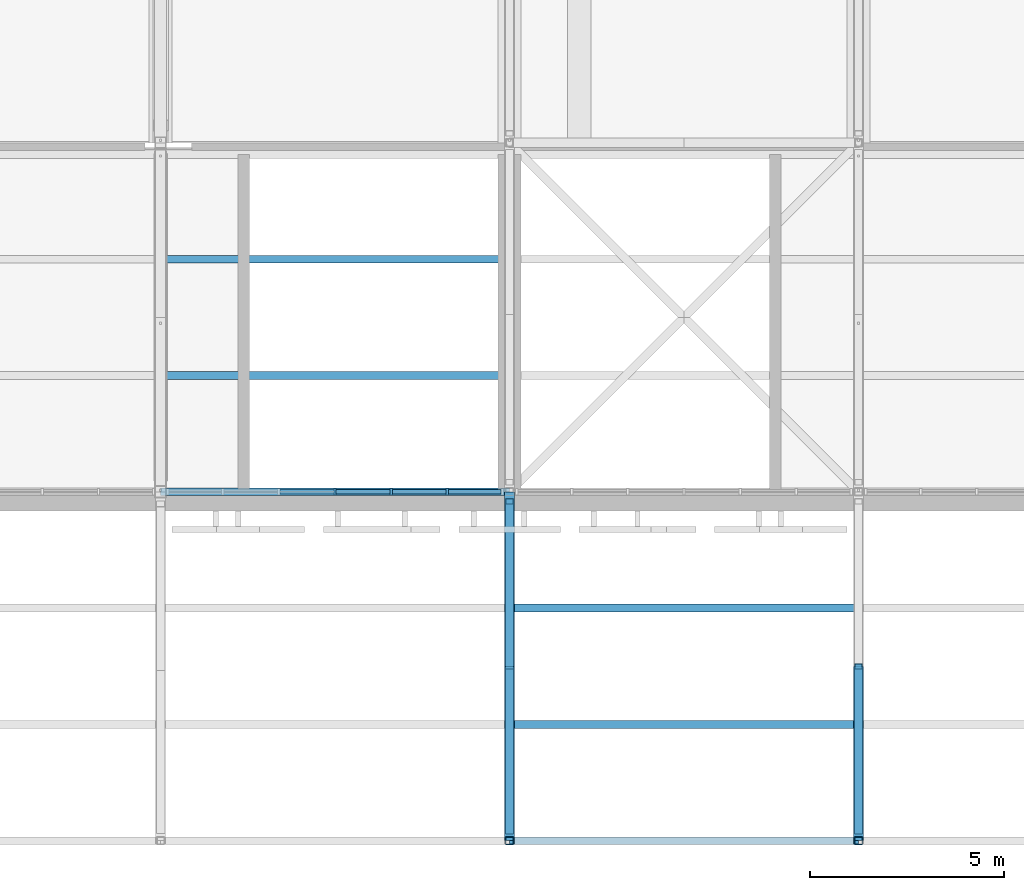
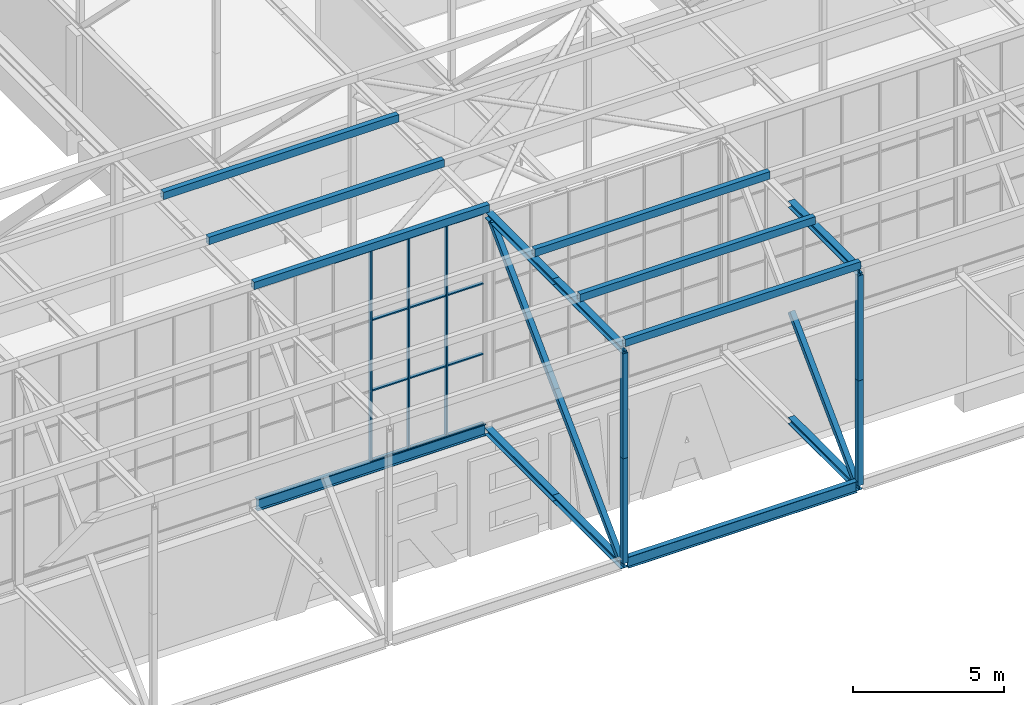
# One storey, part 38 of 646: 35 members, 2 beams, 1 element without a shape of its own.
"""IFC4 building model written with IfcOpenShell, lengths in metres."""

import ifcopenshell
import ifcopenshell.guid

model = None  # the IFC model being written
_history = None  # IfcOwnerHistory: only IFC2X3 demands one
_inside = {}  # id of a spatial element -> (the spatial element, [elements in it])
_under = {}  # id of a project, library or spatial element -> (it, [spatial elements below it])
_declared = {}  # id of a project -> (the project, [libraries it declares])
_typed = {}  # id of a type object -> (the type object, [elements of that type])
_made_of = {}  # id of a material, layer set ... -> (it, [elements and type objects made of it])


def new_model(schema):
    """Start an empty IFC model of exactly this schema.

    Asked for "IFC4X3", IfcOpenShell would pick the latest addendum, in which some entities
    have other attributes; the version numbers below select the first issue.
    IFC2X3 requires an IfcOwnerHistory on every rooted entity: one is made here for all.
    """
    global model, _history
    if schema == "IFC4X3":
        model = ifcopenshell.file(schema_version=(4, 3, 0, 0))
    else:
        model = ifcopenshell.file(schema=schema)
    _inside.clear()
    _under.clear()
    _declared.clear()
    _typed.clear()
    _made_of.clear()
    _history = None
    if model.schema == "IFC2X3":
        org = make("IfcOrganization", Name="unknown")
        user = make(
            "IfcPersonAndOrganization",
            ThePerson=make("IfcPerson", FamilyName="unknown"),
            TheOrganization=org,
        )
        app = make(
            "IfcApplication",
            ApplicationDeveloper=org,
            Version="unknown",
            ApplicationFullName="unknown",
            ApplicationIdentifier="unknown",
        )
        _history = make(
            "IfcOwnerHistory",
            OwningUser=user,
            OwningApplication=app,
            ChangeAction="ADDED",
            CreationDate=0,
        )
    return model


def make(cls, **values):
    """One entity of the class cls with the attributes given. An attribute that is None is left unset."""
    return model.create_entity(
        cls, **{name: value for name, value in values.items() if value is not None}
    )


def rooted(cls, **values):
    """An entity with a GlobalId (a new one), such as an element, a storey or a relation."""
    return make(cls, GlobalId=ifcopenshell.guid.new(), OwnerHistory=_history, **values)


def si_unit(unit_type, name, prefix=None):
    """IfcSIUnit, for example si_unit("LENGTHUNIT", "METRE", prefix="MILLI")."""
    return make("IfcSIUnit", UnitType=unit_type, Prefix=prefix, Name=name)


def assignment(units):
    """IfcUnitAssignment: the units of a project."""
    return None if units is None else make("IfcUnitAssignment", Units=units)


def point(xyz):
    """IfcCartesianPoint."""
    return None if xyz is None else make("IfcCartesianPoint", Coordinates=xyz)


def direction(xyz):
    """IfcDirection."""
    return None if xyz is None else make("IfcDirection", DirectionRatios=xyz)


def frame(location, z_axis=None, x_axis=None):
    """IfcAxis2Placement3D, a coordinate frame: its origin and axes. An axis left out is left unset."""
    return make(
        "IfcAxis2Placement3D",
        Location=point(location),
        Axis=direction(z_axis),
        RefDirection=direction(x_axis),
    )


def frame_2d(location, x_axis=None):
    """IfcAxis2Placement2D, a coordinate frame in the plane: its origin and x axis."""
    return make(
        "IfcAxis2Placement2D", Location=point(location), RefDirection=direction(x_axis)
    )


def origin():
    """The frame at (0, 0, 0) with its axes left unset."""
    return frame((0.0, 0.0, 0.0))


def origin_2d():
    """The frame at (0, 0) in the plane with its x axis left unset."""
    return frame_2d((0.0, 0.0))


def place(relative_to, where):
    """IfcLocalPlacement: puts the frame where relative to a parent placement (None: the world)."""
    return make(
        "IfcLocalPlacement", PlacementRelTo=relative_to, RelativePlacement=where
    )


def context(
    kind, dimensions, precision=None, world=None, true_north=None, identifier=None
):
    """IfcGeometricRepresentationContext, for example the 3D "Model" context."""
    return make(
        "IfcGeometricRepresentationContext",
        ContextIdentifier=identifier,
        ContextType=kind,
        CoordinateSpaceDimension=dimensions,
        Precision=precision,
        WorldCoordinateSystem=world,
        TrueNorth=true_north,
    )


def subcontext(parent, identifier, kind, view, scale=None):
    """IfcGeometricRepresentationSubContext, for example "Body" below "Model"."""
    return make(
        "IfcGeometricRepresentationSubContext",
        ContextIdentifier=identifier,
        ContextType=kind,
        ParentContext=parent,
        TargetScale=scale,
        TargetView=view,
    )


def project(units=None, contexts=None):
    """IfcProject with its units and contexts."""
    return rooted(
        "IfcProject",
        Name="project",
        RepresentationContexts=contexts,
        UnitsInContext=assignment(units),
    )


def spatial(cls, under=None, at=None, **own):
    """A site, building, storey or space (cls), placed at a placement, below another one or the project."""
    s = rooted(cls, ObjectPlacement=at, **own)
    if under is not None:
        _under.setdefault(under.id(), (under, []))[1].append(s)
    return s


def profile(cls, at=None, kind="AREA", **sizes):
    """A parametric profile (cls). Its sizes go by their IFC names, for example OverallWidth=200.0."""
    return make(cls, ProfileType=kind, Position=at, **sizes)


def rectangle(**sizes):
    """IfcRectangleProfileDef."""
    return profile("IfcRectangleProfileDef", **sizes)


def hollow_rectangle(**sizes):
    """IfcRectangleHollowProfileDef."""
    return profile("IfcRectangleHollowProfileDef", **sizes)


def i_section(**sizes):
    """IfcIShapeProfileDef."""
    return profile("IfcIShapeProfileDef", **sizes)


def extrude(swept, where, along, depth):
    """IfcExtrudedAreaSolid: the profile swept, set in the frame where, extruded along a direction by depth."""
    return make(
        "IfcExtrudedAreaSolid",
        SweptArea=swept,
        Position=where,
        ExtrudedDirection=direction(along),
        Depth=depth,
    )


def shape(context_of_items, identifier, shape_type, items):
    """IfcShapeRepresentation: the items that make up one representation, for example the "Body"."""
    return make(
        "IfcShapeRepresentation",
        ContextOfItems=context_of_items,
        RepresentationIdentifier=identifier,
        RepresentationType=shape_type,
        Items=items,
    )


def material(Name=None, Category=None):
    """IfcMaterial."""
    return make("IfcMaterial", Name=Name, Category=Category)


def material_profile(
    of_material, cross_section, Name=None, Category=None, Priority=None
):
    """IfcMaterialProfile: a cross section and its material."""
    return make(
        "IfcMaterialProfile",
        Name=Name,
        Material=of_material,
        Profile=cross_section,
        Priority=Priority,
        Category=Category,
    )


def profile_set(profiles, Name=None, composite=None):
    """IfcMaterialProfileSet."""
    return make(
        "IfcMaterialProfileSet",
        Name=Name,
        MaterialProfiles=profiles,
        CompositeProfile=composite,
    )


def made_of(thing, what):
    """Note that an element or type object is made of a material, layer set ...; save() writes the relation."""
    if what is not None:
        _made_of.setdefault(what.id(), (what, []))[1].append(thing)
    return thing


def type_object(cls, material=None, **own):
    """A type object (cls), such as IfcWallType, which elements share."""
    return made_of(rooted(cls, **own), material)


def element(
    cls,
    number,
    at=None,
    inside=None,
    cuts=None,
    type_object=None,
    material=None,
    context=None,
    identifier="Body",
    shape_type=None,
    held_by="IfcProductDefinitionShape",
    body=None,
    shapes=None,
    **own,
):
    """One element of the class cls, such as IfcWall. Its Tag is "e" and its number.

    at: its placement. inside: the storey or other place that contains it. cuts: it is an
    opening in that element (IfcRelVoidsElement). A single representation is given by context,
    identifier, shape_type and body (its items); several are given by shapes. held_by: the class
    of the entity that holds the representations. save() writes the other relations.
    """
    e = rooted(cls, Tag="e%d" % number, ObjectPlacement=at, **own)
    if body is not None:
        shapes = [shape(context, identifier, shape_type, body)]
    if shapes is not None:
        e.Representation = make(held_by, Representations=shapes)
    if inside is not None:
        _inside.setdefault(inside.id(), (inside, []))[1].append(e)
    if cuts is not None:
        rooted(
            "IfcRelVoidsElement", RelatingBuildingElement=cuts, RelatedOpeningElement=e
        )
    if type_object is not None:
        _typed.setdefault(type_object.id(), (type_object, []))[1].append(e)
    return made_of(e, material)


def aggregate(whole, parts):
    """IfcRelAggregates: a whole, such as a stair, and the parts it consists of."""
    return rooted("IfcRelAggregates", RelatingObject=whole, RelatedObjects=parts)


def save(model, path):
    """Write the relations noted so far, then the file.

    IfcRelAggregates (storeys below a building ...), IfcRelContainedInSpatialStructure (elements
    in a storey), IfcRelDefinesByType, IfcRelAssociatesMaterial and IfcRelDeclares: one each for
    every whole, place, type object, material and project.
    """
    for whole, parts in _under.values():
        aggregate(whole, parts)
    for where, things in _inside.values():
        rooted(
            "IfcRelContainedInSpatialStructure",
            RelatedElements=things,
            RelatingStructure=where,
        )
    for kind, things in _typed.values():
        rooted("IfcRelDefinesByType", RelatedObjects=things, RelatingType=kind)
    for what, things in _made_of.values():
        rooted("IfcRelAssociatesMaterial", RelatedObjects=things, RelatingMaterial=what)
    for by, libraries in _declared.values():
        rooted("IfcRelDeclares", RelatingContext=by, RelatedDefinitions=libraries)
    model.write(path)


model = new_model("IFC4")

# Units and contexts
model_context = context("Model", 3, precision=1e-05, world=origin(), true_north=direction((0.0, 1.0)))
body_context = subcontext(model_context, "Body", "Model", "MODEL_VIEW")
ifc_project = project(units=[si_unit("LENGTHUNIT", "METRE"), si_unit("AREAUNIT", "SQUARE_METRE"), si_unit("VOLUMEUNIT", "CUBIC_METRE"), si_unit("PLANEANGLEUNIT", "RADIAN"), si_unit("MASSUNIT", "GRAM", prefix="KILO")], contexts=[model_context])

# Site, building, storey
site_placement = place(None, origin())
site = spatial("IfcSite", under=ifc_project, at=site_placement, CompositionType="ELEMENT")
building_placement = place(site_placement, origin())
building = spatial("IfcBuilding", under=site, at=building_placement, Name="Silverbay Arena", CompositionType="ELEMENT")
storey_placement = place(building_placement, frame((0.0, 0.0, 33.5)))
storey = spatial("IfcBuildingStorey", under=building, at=storey_placement, Name="L05", CompositionType="ELEMENT", Elevation=33.5)

# Members
ifc_material_1 = material(Name="Steel S355", Category="steel")
ifc_material_profile_1 = material_profile(ifc_material_1, i_section(OverallWidth=0.254638671875, OverallDepth=0.254150390625, WebThickness=0.008544921875, FlangeThickness=0.01416015625, at=origin_2d()), Name="UC 254x254x73")
ifc_profile_set_1 = profile_set([ifc_material_profile_1], Name="Steel S355")
member_type_1 = type_object("IfcMemberType", Name="Medium-span bottom chord UC 254x254x73", PredefinedType="CHORD", material=ifc_profile_set_1)
for number, where, z_axis, x_axis, name in (
    (1, (162.0, 9.0, 4.126953125), (0.0, 1.0, 0.0), (-1.0, 0.0, 0.0), "ROOF TRUSS 19 bottom chord 01a"),
    (2, (162.0, 13.5, 4.126953125), (0.0, 1.0, 0.0), (-1.0, 0.0, 0.0), "ROOF TRUSS 19 bottom chord 01b"),
    (3, (171.0, 9.0, 4.126953125), (0.0, 1.0, 0.0), (-1.0, 0.0, 0.0), "ROOF TRUSS 20 bottom chord 01a"),
):
    element("IfcMember", number, at=place(storey_placement, frame(where, z_axis=z_axis, x_axis=x_axis)), inside=storey, type_object=member_type_1, Name=name, PredefinedType="CHORD", context=body_context, shape_type="SweptSolid", body=[
        extrude(i_section(OverallWidth=0.254638671875, OverallDepth=0.254150390625, WebThickness=0.008544921875, FlangeThickness=0.01416015625, at=origin_2d()), origin(), (0.0, 0.0, 1.0), 4.5),
    ])
ifc_material_2 = material(Name="Steel S355", Category="steel")
ifc_material_profile_2 = material_profile(ifc_material_2, i_section(OverallWidth=0.254638671875, OverallDepth=0.254150390625, WebThickness=0.008544921875, FlangeThickness=0.01416015625, at=origin_2d()), Name="UC 254x254x73")
ifc_profile_set_2 = profile_set([ifc_material_profile_2], Name="Steel S355")
member_type_2 = type_object("IfcMemberType", Name="Medium-span top chord UC 254x254x73", PredefinedType="CHORD", material=ifc_profile_set_2)
for number, where, z_axis, x_axis, name in (
    (4, (162.0, 9.0, 12.873046875), (0.0, 1.0, 0.0), (-1.0, 0.0, 0.0), "ROOF TRUSS 19 top chord 01a"),
    (5, (162.0, 13.5, 12.873046875), (0.0, 1.0, 0.0), (-1.0, 0.0, 0.0), "ROOF TRUSS 19 top chord 01b"),
    (6, (171.0, 9.0, 12.873046875), (0.0, 1.0, 0.0), (-1.0, 0.0, 0.0), "ROOF TRUSS 20 top chord 01a"),
):
    element("IfcMember", number, at=place(storey_placement, frame(where, z_axis=z_axis, x_axis=x_axis)), inside=storey, type_object=member_type_2, Name=name, PredefinedType="CHORD", context=body_context, shape_type="SweptSolid", body=[
        extrude(i_section(OverallWidth=0.254638671875, OverallDepth=0.254150390625, WebThickness=0.008544921875, FlangeThickness=0.01416015625, at=origin_2d()), origin(), (0.0, 0.0, 1.0), 4.5),
    ])
ifc_material_3 = material(Name="Steel S355", Category="steel")
ifc_material_profile_3 = material_profile(ifc_material_3, hollow_rectangle(XDim=0.199951171875, YDim=0.199951171875, WallThickness=0.008056640625, at=origin_2d()), Name="SHS 200x200x8")
ifc_profile_set_3 = profile_set([ifc_material_profile_3], Name="Steel S355")
member_type_3 = type_object("IfcMemberType", Name="Medium-span truss diagonal SHS 200x200x8", PredefinedType="BRACE", material=ifc_profile_set_3)
for number, where, z_axis, x_axis, name in (
    (7, (162.0, 17.75439453125, 12.745849609375), (0.0, -0.70781724692, -0.706395600894), (1.0, 0.0, 0.0), "ROOF TRUSS 19 diagonal 01a"),
    (8, (162.0, 13.5, 8.5), (0.0, -0.70781724692, -0.706395600894), (1.0, 0.0, 0.0), "ROOF TRUSS 19 diagonal 01b"),
    (9, (171.0, 13.5, 8.5), (0.0, -0.70781724692, -0.706395600894), (1.0, 0.0, 0.0), "ROOF TRUSS 20 diagonal 01b"),
):
    element("IfcMember", number, at=place(storey_placement, frame(where, z_axis=z_axis, x_axis=x_axis)), inside=storey, type_object=member_type_3, Name=name, PredefinedType="BRACE", context=body_context, shape_type="SweptSolid", body=[
        extrude(hollow_rectangle(XDim=0.199951171875, YDim=0.199951171875, WallThickness=0.008056640625, at=origin_2d()), origin(), (0.0, 0.0, 1.0), 6.010498046875),
    ])
ifc_material_4 = material(Name="Steel S355", Category="steel")
ifc_material_profile_4 = material_profile(ifc_material_4, hollow_rectangle(XDim=0.199951171875, YDim=0.199951171875, WallThickness=0.008056640625, at=origin_2d()), Name="SHS 200x200x8")
ifc_profile_set_4 = profile_set([ifc_material_profile_4], Name="Steel S355")
member_type_4 = type_object("IfcMemberType", Name="Medium-span truss vertical SHS 200x200x8", PredefinedType="STRUT", material=ifc_profile_set_4)
for number, where, z_axis, x_axis, name in (
    (10, (162.0, 9.0, 4.254150390625), (0.0, 0.0, 1.0), (1.0, 0.0, 0.0), "ROOF TRUSS 19 vertical 01a"),
    (11, (162.0, 9.0, 8.5), (0.0, 0.0, 1.0), (1.0, 0.0, 0.0), "ROOF TRUSS 19 vertical 01b"),
    (12, (171.0, 9.0, 4.254150390625), (0.0, 0.0, 1.0), (1.0, 0.0, 0.0), "ROOF TRUSS 20 vertical 01a"),
    (13, (171.0, 9.0, 8.5), (0.0, 0.0, 1.0), (1.0, 0.0, 0.0), "ROOF TRUSS 20 vertical 01b"),
):
    element("IfcMember", number, at=place(storey_placement, frame(where, z_axis=z_axis, x_axis=x_axis)), inside=storey, type_object=member_type_4, Name=name, PredefinedType="STRUT", context=body_context, shape_type="SweptSolid", body=[
        extrude(hollow_rectangle(XDim=0.199951171875, YDim=0.199951171875, WallThickness=0.008056640625, at=origin_2d()), origin(), (0.0, 0.0, 1.0), 4.245849609375),
    ])

# Curtain wall, members
ifc_material_5 = material(Name="Aluminium framed glazing", Category="aluminium")
curtain_wall_type = type_object("IfcCurtainWallType", Name="Curtain wall clerestory 8693 x 8540", PredefinedType="NOTDEFINED", material=ifc_material_5)
curtain_wall_placement = place(storey_placement, origin())
curtain_wall = element("IfcCurtainWall", 14, at=curtain_wall_placement, inside=storey, type_object=curtain_wall_type, Name="ROOF CLERESTORY CURTAIN WALL south bay 12", PredefinedType="NOTDEFINED")
ifc_material_6 = material(Name="Aluminium", Category="aluminium")
ifc_material_profile_5 = material_profile(ifc_material_6, rectangle(XDim=0.159912109375, YDim=0.06005859375, at=origin_2d()), Name="Mullion 60 x 160")
ifc_profile_set_5 = profile_set([ifc_material_profile_5], Name="Aluminium")
member_type_5 = type_object("IfcMemberType", Name="Mullion 60 x 160", PredefinedType="MULLION", material=ifc_profile_set_5)
member_1_placement = place(storey_placement, frame((157.5, 18.0, 4.4599609375), z_axis=(0.0, 0.0, 1.0), x_axis=(0.0, 1.0, 0.0)))
member_1 = element("IfcMember", 15, at=member_1_placement, type_object=member_type_5, Name="CW55 mullion 4", PredefinedType="MULLION", context=body_context, shape_type="SweptSolid", body=[
    extrude(rectangle(XDim=0.159912109375, YDim=0.06005859375, at=origin_2d()), origin(), (0.0, 0.0, 1.0), 8.5400390625),
])
member_2_placement = place(storey_placement, frame((158.94873046875, 18.0, 4.4599609375), z_axis=(0.0, 0.0, 1.0), x_axis=(0.0, 1.0, 0.0)))
member_2 = element("IfcMember", 16, at=member_2_placement, type_object=member_type_5, Name="CW55 mullion 5", PredefinedType="MULLION", context=body_context, shape_type="SweptSolid", body=[
    extrude(rectangle(XDim=0.159912109375, YDim=0.06005859375, at=origin_2d()), origin(), (0.0, 0.0, 1.0), 8.5400390625),
])
member_3_placement = place(storey_placement, frame((160.3974609375, 18.0, 4.4599609375), z_axis=(0.0, 0.0, 1.0), x_axis=(0.0, 1.0, 0.0)))
member_3 = element("IfcMember", 17, at=member_3_placement, type_object=member_type_5, Name="CW55 mullion 6", PredefinedType="MULLION", context=body_context, shape_type="SweptSolid", body=[
    extrude(rectangle(XDim=0.159912109375, YDim=0.06005859375, at=origin_2d()), origin(), (0.0, 0.0, 1.0), 8.5400390625),
])

# Members
ifc_material_7 = material(Name="Steel S355", Category="steel")
ifc_material_profile_6 = material_profile(ifc_material_7, hollow_rectangle(XDim=0.199951171875, YDim=0.300048828125, WallThickness=0.00634765625, at=origin_2d()), Name="RHS 300x200x6.3")
ifc_profile_set_6 = profile_set([ifc_material_profile_6], Name="Steel S355")
member_type_6 = type_object("IfcMemberType", Name="Purlin RHS 300x200x6.3", PredefinedType="PURLIN", material=ifc_profile_set_6)
member_4_placement = place(storey_placement, frame((153.0, 24.0, 13.14990234375), z_axis=(1.0, 0.0, 0.0), x_axis=(0.0, 1.0, 0.0)))
element("IfcMember", 18, at=member_4_placement, inside=storey, type_object=member_type_6, Name="ROOF PURLIN 18-19 line 06", PredefinedType="PURLIN", context=body_context, shape_type="SweptSolid", body=[
    extrude(hollow_rectangle(XDim=0.199951171875, YDim=0.300048828125, WallThickness=0.00634765625, at=origin_2d()), origin(), (0.0, 0.0, 1.0), 9.0),
])
ifc_material_8 = material(Name="Steel S355", Category="steel")
ifc_material_profile_7 = material_profile(ifc_material_8, hollow_rectangle(XDim=0.199951171875, YDim=0.300048828125, WallThickness=0.008056640625, at=origin_2d()), Name="RHS 300x200x8")
ifc_profile_set_7 = profile_set([ifc_material_profile_7], Name="Steel S355")
member_type_7 = type_object("IfcMemberType", Name="Purlin RHS 300x200x8", PredefinedType="PURLIN", material=ifc_profile_set_7)
for number, where, z_axis, x_axis, name in (
    (19, (153.0, 18.0, 13.14990234375), (1.0, 0.0, 0.0), (0.0, 1.0, 0.0), "ROOF PURLIN 18-19 line 04"),
    (20, (153.0, 21.0, 13.14990234375), (1.0, 0.0, 0.0), (0.0, 1.0, 0.0), "ROOF PURLIN 18-19 line 05"),
    (21, (162.0, 9.0, 13.14990234375), (1.0, 0.0, 0.0), (0.0, 1.0, 0.0), "ROOF PURLIN 19-20 line 01"),
    (22, (162.0, 12.0, 13.14990234375), (1.0, 0.0, 0.0), (0.0, 1.0, 0.0), "ROOF PURLIN 19-20 line 02"),
    (23, (162.0, 15.0, 13.14990234375), (1.0, 0.0, 0.0), (0.0, 1.0, 0.0), "ROOF PURLIN 19-20 line 03"),
):
    element("IfcMember", number, at=place(storey_placement, frame(where, z_axis=z_axis, x_axis=x_axis)), inside=storey, type_object=member_type_7, Name=name, PredefinedType="PURLIN", context=body_context, shape_type="SweptSolid", body=[
        extrude(hollow_rectangle(XDim=0.199951171875, YDim=0.300048828125, WallThickness=0.008056640625, at=origin_2d()), origin(), (0.0, 0.0, 1.0), 9.0),
    ])

# Beams
ifc_material_9 = material(Name="Steel S355", Category="steel")
ifc_material_profile_8 = material_profile(ifc_material_9, i_section(OverallWidth=0.18994140625, OverallDepth=0.453369140625, WebThickness=0.008544921875, FlangeThickness=0.0126953125, at=origin_2d()), Name="UB 457x191x67")
ifc_profile_set_8 = profile_set([ifc_material_profile_8], Name="Steel S355")
beam_type_1 = type_object("IfcBeamType", Name="Ring beam UB 457x191x67", PredefinedType="BEAM", material=ifc_profile_set_8)
beam_1_placement = place(storey_placement, frame((162.127197265625, 9.0, 4.226806640625), z_axis=(1.0, 0.0, 0.0), x_axis=(0.0, 1.0, 0.0)))
element("IfcBeam", 24, at=beam_1_placement, inside=storey, type_object=beam_type_1, Name="RING BEAM south edge 19-20", PredefinedType="BEAM", context=body_context, shape_type="SweptSolid", body=[
    extrude(i_section(OverallWidth=0.18994140625, OverallDepth=0.453369140625, WebThickness=0.008544921875, FlangeThickness=0.0126953125, at=origin_2d()), origin(), (0.0, 0.0, 1.0), 8.74560546875),
])
ifc_material_10 = material(Name="Steel S355", Category="steel")
ifc_material_profile_9 = material_profile(ifc_material_10, i_section(OverallWidth=0.19140625, OverallDepth=0.4599609375, WebThickness=0.010009765625, FlangeThickness=0.01611328125, at=origin_2d()), Name="UB 457x191x82")
ifc_profile_set_9 = profile_set([ifc_material_profile_9], Name="Steel S355")
beam_type_2 = type_object("IfcBeamType", Name="Ring beam UB 457x191x82", PredefinedType="BEAM", material=ifc_profile_set_9)
beam_2_placement = place(storey_placement, frame((153.12939453125, 18.0, 4.22998046875), z_axis=(1.0, 0.0, 0.0), x_axis=(0.0, 1.0, 0.0)))
element("IfcBeam", 25, at=beam_2_placement, inside=storey, type_object=beam_type_2, Name="RING BEAM south facade 18-19", PredefinedType="BEAM", context=body_context, shape_type="SweptSolid", body=[
    extrude(i_section(OverallWidth=0.19140625, OverallDepth=0.4599609375, WebThickness=0.010009765625, FlangeThickness=0.01611328125, at=origin_2d()), origin(), (0.0, 0.0, 1.0), 8.743408203125),
])

# Member
ifc_material_11 = material(Name="Aluminium", Category="aluminium")
ifc_material_profile_10 = material_profile(ifc_material_11, rectangle(XDim=0.1201171875, YDim=0.050048828125, at=origin_2d()), Name="Transom 50 x 120")
ifc_profile_set_10 = profile_set([ifc_material_profile_10], Name="Aluminium")
member_type_8 = type_object("IfcMemberType", Name="Transom 50 x 120", PredefinedType="USERDEFINED", material=ifc_profile_set_10)
member_5_placement = place(storey_placement, frame((156.081298828125, 18.0, 12.97509765625), z_axis=(1.0, 0.0, 0.0), x_axis=(0.0, 1.0, 0.0)))
member_5 = element("IfcMember", 26, at=member_5_placement, type_object=member_type_8, Name="CW55 transom 3.4", ObjectType="TRANSOM", PredefinedType="USERDEFINED", context=body_context, shape_type="SweptSolid", body=[
    extrude(rectangle(XDim=0.1201171875, YDim=0.050048828125, at=origin_2d()), origin(), (0.0, 0.0, 1.0), 1.388671875),
])

member_6_placement = place(storey_placement, frame((157.530029296875, 18.0, 4.485107421875), z_axis=(1.0, 0.0, 0.0), x_axis=(0.0, 1.0, 0.0)))
member_6 = element("IfcMember", 27, at=member_6_placement, type_object=member_type_8, Name="CW55 transom 4.1", ObjectType="TRANSOM", PredefinedType="USERDEFINED", context=body_context, shape_type="SweptSolid", body=[
    extrude(rectangle(XDim=0.1201171875, YDim=0.050048828125, at=origin_2d()), origin(), (0.0, 0.0, 1.0), 1.388671875),
])

member_7_placement = place(storey_placement, frame((157.530029296875, 18.0, 7.306640625), z_axis=(1.0, 0.0, 0.0), x_axis=(0.0, 1.0, 0.0)))
member_7 = element("IfcMember", 28, at=member_7_placement, type_object=member_type_8, Name="CW55 transom 4.2", ObjectType="TRANSOM", PredefinedType="USERDEFINED", context=body_context, shape_type="SweptSolid", body=[
    extrude(rectangle(XDim=0.1201171875, YDim=0.050048828125, at=origin_2d()), origin(), (0.0, 0.0, 1.0), 1.388671875),
])

member_8_placement = place(storey_placement, frame((157.530029296875, 18.0, 10.1533203125), z_axis=(1.0, 0.0, 0.0), x_axis=(0.0, 1.0, 0.0)))
member_8 = element("IfcMember", 29, at=member_8_placement, type_object=member_type_8, Name="CW55 transom 4.3", ObjectType="TRANSOM", PredefinedType="USERDEFINED", context=body_context, shape_type="SweptSolid", body=[
    extrude(rectangle(XDim=0.1201171875, YDim=0.050048828125, at=origin_2d()), origin(), (0.0, 0.0, 1.0), 1.388671875),
])

member_9_placement = place(storey_placement, frame((157.530029296875, 18.0, 12.97509765625), z_axis=(1.0, 0.0, 0.0), x_axis=(0.0, 1.0, 0.0)))
member_9 = element("IfcMember", 30, at=member_9_placement, type_object=member_type_8, Name="CW55 transom 4.4", ObjectType="TRANSOM", PredefinedType="USERDEFINED", context=body_context, shape_type="SweptSolid", body=[
    extrude(rectangle(XDim=0.1201171875, YDim=0.050048828125, at=origin_2d()), origin(), (0.0, 0.0, 1.0), 1.388671875),
])

member_10_placement = place(storey_placement, frame((158.978759765625, 18.0, 4.485107421875), z_axis=(1.0, 0.0, 0.0), x_axis=(0.0, 1.0, 0.0)))
member_10 = element("IfcMember", 31, at=member_10_placement, type_object=member_type_8, Name="CW55 transom 5.1", ObjectType="TRANSOM", PredefinedType="USERDEFINED", context=body_context, shape_type="SweptSolid", body=[
    extrude(rectangle(XDim=0.1201171875, YDim=0.050048828125, at=origin_2d()), origin(), (0.0, 0.0, 1.0), 1.388671875),
])

member_11_placement = place(storey_placement, frame((158.978759765625, 18.0, 7.306640625), z_axis=(1.0, 0.0, 0.0), x_axis=(0.0, 1.0, 0.0)))
member_11 = element("IfcMember", 32, at=member_11_placement, type_object=member_type_8, Name="CW55 transom 5.2", ObjectType="TRANSOM", PredefinedType="USERDEFINED", context=body_context, shape_type="SweptSolid", body=[
    extrude(rectangle(XDim=0.1201171875, YDim=0.050048828125, at=origin_2d()), origin(), (0.0, 0.0, 1.0), 1.388671875),
])

member_12_placement = place(storey_placement, frame((158.978759765625, 18.0, 10.1533203125), z_axis=(1.0, 0.0, 0.0), x_axis=(0.0, 1.0, 0.0)))
member_12 = element("IfcMember", 33, at=member_12_placement, type_object=member_type_8, Name="CW55 transom 5.3", ObjectType="TRANSOM", PredefinedType="USERDEFINED", context=body_context, shape_type="SweptSolid", body=[
    extrude(rectangle(XDim=0.1201171875, YDim=0.050048828125, at=origin_2d()), origin(), (0.0, 0.0, 1.0), 1.388671875),
])

member_13_placement = place(storey_placement, frame((158.978759765625, 18.0, 12.97509765625), z_axis=(1.0, 0.0, 0.0), x_axis=(0.0, 1.0, 0.0)))
member_13 = element("IfcMember", 34, at=member_13_placement, type_object=member_type_8, Name="CW55 transom 5.4", ObjectType="TRANSOM", PredefinedType="USERDEFINED", context=body_context, shape_type="SweptSolid", body=[
    extrude(rectangle(XDim=0.1201171875, YDim=0.050048828125, at=origin_2d()), origin(), (0.0, 0.0, 1.0), 1.388671875),
])

member_14_placement = place(storey_placement, frame((160.427490234375, 18.0, 4.485107421875), z_axis=(1.0, 0.0, 0.0), x_axis=(0.0, 1.0, 0.0)))
member_14 = element("IfcMember", 35, at=member_14_placement, type_object=member_type_8, Name="CW55 transom 6.1", ObjectType="TRANSOM", PredefinedType="USERDEFINED", context=body_context, shape_type="SweptSolid", body=[
    extrude(rectangle(XDim=0.1201171875, YDim=0.050048828125, at=origin_2d()), origin(), (0.0, 0.0, 1.0), 1.35888671875),
])

member_15_placement = place(storey_placement, frame((160.427490234375, 18.0, 7.306640625), z_axis=(1.0, 0.0, 0.0), x_axis=(0.0, 1.0, 0.0)))
member_15 = element("IfcMember", 36, at=member_15_placement, type_object=member_type_8, Name="CW55 transom 6.2", ObjectType="TRANSOM", PredefinedType="USERDEFINED", context=body_context, shape_type="SweptSolid", body=[
    extrude(rectangle(XDim=0.1201171875, YDim=0.050048828125, at=origin_2d()), origin(), (0.0, 0.0, 1.0), 1.35888671875),
])

member_16_placement = place(storey_placement, frame((160.427490234375, 18.0, 10.1533203125), z_axis=(1.0, 0.0, 0.0), x_axis=(0.0, 1.0, 0.0)))
member_16 = element("IfcMember", 37, at=member_16_placement, type_object=member_type_8, Name="CW55 transom 6.3", ObjectType="TRANSOM", PredefinedType="USERDEFINED", context=body_context, shape_type="SweptSolid", body=[
    extrude(rectangle(XDim=0.1201171875, YDim=0.050048828125, at=origin_2d()), origin(), (0.0, 0.0, 1.0), 1.35888671875),
])

member_17_placement = place(storey_placement, frame((160.427490234375, 18.0, 12.97509765625), z_axis=(1.0, 0.0, 0.0), x_axis=(0.0, 1.0, 0.0)))
member_17 = element("IfcMember", 38, at=member_17_placement, type_object=member_type_8, Name="CW55 transom 6.4", ObjectType="TRANSOM", PredefinedType="USERDEFINED", context=body_context, shape_type="SweptSolid", body=[
    extrude(rectangle(XDim=0.1201171875, YDim=0.050048828125, at=origin_2d()), origin(), (0.0, 0.0, 1.0), 1.35888671875),
])

aggregate(curtain_wall, [member_1, member_2, member_3, member_5, member_6, member_7, member_8, member_9, member_10, member_11, member_12, member_13, member_14, member_15, member_16, member_17])

save(model, "model.ifc")
